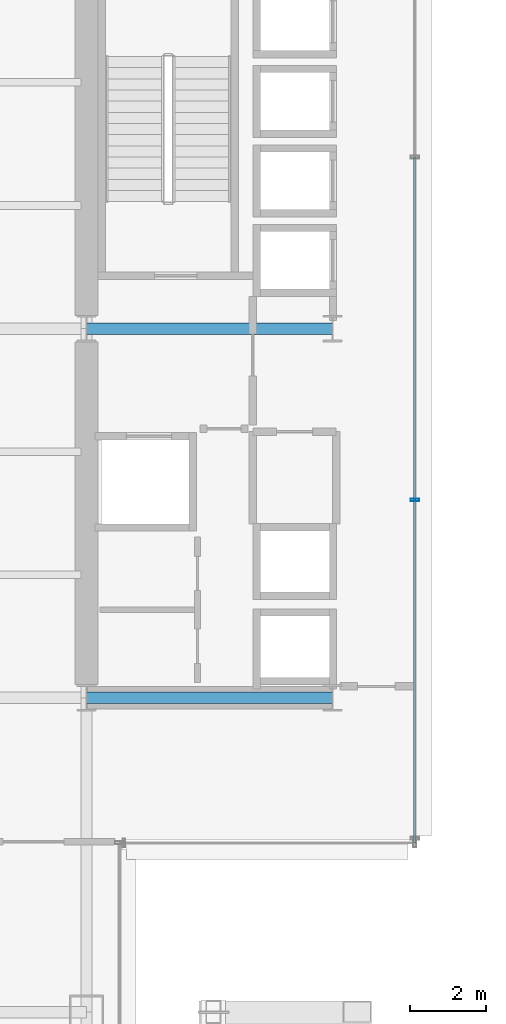
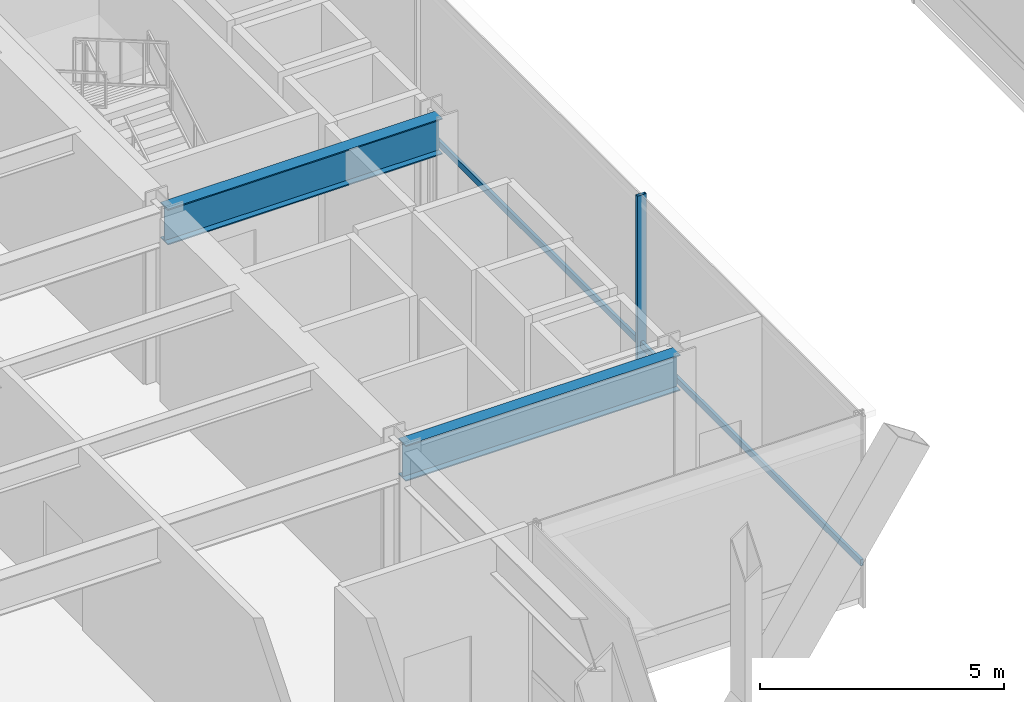
# One storey, part 7 of 40: 3 members, 2 beams, 1 element without a shape of its own.
"""IFC4 building model written with IfcOpenShell, lengths in metres."""

from ifc_helpers import new_model, si_unit, direction, frame, origin, origin_2d, place, context, subcontext, project, spatial, hollow_rectangle, i_section, extrude, material, layer, layer_set, material_profile, profile_set, type_object, element, aggregate, save


model = new_model("IFC4")

# Units and contexts
model_context = context("Model", 3, precision=1e-05, world=origin(), true_north=direction((0.0, 1.0)))
body_context = subcontext(model_context, "Body", "Model", "MODEL_VIEW")
ifc_project = project(units=[si_unit("LENGTHUNIT", "METRE"), si_unit("AREAUNIT", "SQUARE_METRE"), si_unit("VOLUMEUNIT", "CUBIC_METRE"), si_unit("PLANEANGLEUNIT", "RADIAN"), si_unit("MASSUNIT", "GRAM", prefix="KILO")], contexts=[model_context])

# Site, building, storey
site_placement = place(None, origin())
site = spatial("IfcSite", under=ifc_project, at=site_placement, CompositionType="ELEMENT")
building_placement = place(site_placement, origin())
building = spatial("IfcBuilding", under=site, at=building_placement, Name="Brelmoor Portico Tower", CompositionType="ELEMENT")
storey_placement = place(building_placement, frame((0.0, 0.0, 4.800048828125)))
storey = spatial("IfcBuildingStorey", under=building, at=storey_placement, Name="L01", CompositionType="ELEMENT", Elevation=4.800048828125)

# Beams
ifc_material_1 = material(Name="Steel Q355B", Category="steel")
ifc_material_profile_1 = material_profile(ifc_material_1, i_section(OverallWidth=0.300048828125, OverallDepth=0.89990234375, WebThickness=0.01611328125, FlangeThickness=0.028076171875, at=origin_2d()), Name="HN 900x300x16x28")
ifc_profile_set_1 = profile_set([ifc_material_profile_1], Name="Steel Q355B")
beam_type = type_object("IfcBeamType", Name="BM-PG-900", PredefinedType="BEAM", material=ifc_profile_set_1)
for number, where, z_axis, x_axis, name in (
    (1, (-14.550048828125, -9.75, 4.1298828125), (1.0, 0.0, 0.0), (0.0, 1.0, 0.0), "L01 Primary Floor Girder PG-26"),
    (2, (-14.550048828125, 0.0, 4.1298828125), (1.0, 0.0, 0.0), (0.0, 1.0, 0.0), "L01 Primary Floor Girder PG-30"),
):
    element("IfcBeam", number, at=place(storey_placement, frame(where, z_axis=z_axis, x_axis=x_axis)), inside=storey, type_object=beam_type, Name=name, PredefinedType="BEAM", context=body_context, shape_type="SweptSolid", body=[
        extrude(i_section(OverallWidth=0.300048828125, OverallDepth=0.89990234375, WebThickness=0.01611328125, FlangeThickness=0.028076171875, at=origin_2d()), origin(), (0.0, 0.0, 1.0), 6.5),
    ])

# Curtain wall, members
ifc_material_2 = material(Name="Anodised Aluminium Alloy 6063-T6", Category="aluminium")
ifc_layer = layer(ifc_material_2, 0.179931640625)
ifc_layer_set = layer_set([ifc_layer], Name="Anodised Aluminium Alloy 6063-T6")
curtain_wall_type = type_object("IfcCurtainWallType", Name="CW-PODIUM-ARCH", PredefinedType="NOTDEFINED", material=ifc_layer_set)
curtain_wall_placement = place(storey_placement, origin())
curtain_wall = element("IfcCurtainWall", 3, at=curtain_wall_placement, inside=storey, type_object=curtain_wall_type, Name="L01 Curtain Wall CW-L01-15", PredefinedType="NOTDEFINED")
ifc_material_profile_2 = material_profile(ifc_material_2, hollow_rectangle(XDim=0.074951171875, YDim=0.219970703125, WallThickness=0.0048828125, at=origin_2d()), Name="ALU MULLION 75x220")
ifc_profile_set_2 = profile_set([ifc_material_profile_2], Name="Anodised Aluminium Alloy 6063-T6")
member_type_1 = type_object("IfcMemberType", Name="MB-CW-MULL-220", PredefinedType="MULLION", material=ifc_profile_set_2)
member_1_placement = place(storey_placement, frame((-5.8798828125, -4.526611328125, -0.219970703125), z_axis=(0.0, 0.0, 1.0), x_axis=(0.0, 1.0, 0.0)))
member_1 = element("IfcMember", 4, at=member_1_placement, type_object=member_type_1, Name="CW-L01-15 Mullion 01", PredefinedType="MULLION", context=body_context, shape_type="SweptSolid", body=[
    extrude(hollow_rectangle(XDim=0.074951171875, YDim=0.219970703125, WallThickness=0.0048828125, at=origin_2d()), origin(), (0.0, 0.0, 1.0), 4.7998046875),
])
ifc_material_profile_3 = material_profile(ifc_material_2, hollow_rectangle(XDim=0.070068359375, YDim=0.159912109375, WallThickness=0.00390625, at=origin_2d()), Name="ALU TRANSOM 70x160")
ifc_profile_set_3 = profile_set([ifc_material_profile_3], Name="Anodised Aluminium Alloy 6063-T6")
member_type_2 = type_object("IfcMemberType", Name="MB-CW-TRAN-160", PredefinedType="USERDEFINED", material=ifc_profile_set_3)
member_2_placement = place(storey_placement, frame((-5.8798828125, -13.580078125, 0.849853515625), z_axis=(0.0, 1.0, 0.0), x_axis=(-1.0, 0.0, 0.0)))
member_2 = element("IfcMember", 5, at=member_2_placement, type_object=member_type_2, Name="CW-L01-15 Transom 1-00", ObjectType="TRANSOM", PredefinedType="USERDEFINED", context=body_context, shape_type="SweptSolid", body=[
    extrude(hollow_rectangle(XDim=0.070068359375, YDim=0.159912109375, WallThickness=0.00390625, at=origin_2d()), origin(), (0.0, 0.0, 1.0), 9.053466796875),
])
member_3_placement = place(storey_placement, frame((-5.8798828125, -4.526611328125, 0.849853515625), z_axis=(0.0, 1.0, 0.0), x_axis=(-1.0, 0.0, 0.0)))
member_3 = element("IfcMember", 6, at=member_3_placement, type_object=member_type_2, Name="CW-L01-15 Transom 1-01", ObjectType="TRANSOM", PredefinedType="USERDEFINED", context=body_context, shape_type="SweptSolid", body=[
    extrude(hollow_rectangle(XDim=0.070068359375, YDim=0.159912109375, WallThickness=0.00390625, at=origin_2d()), origin(), (0.0, 0.0, 1.0), 9.05322265625),
])
aggregate(curtain_wall, [member_1, member_2, member_3])

save(model, "model.ifc")
